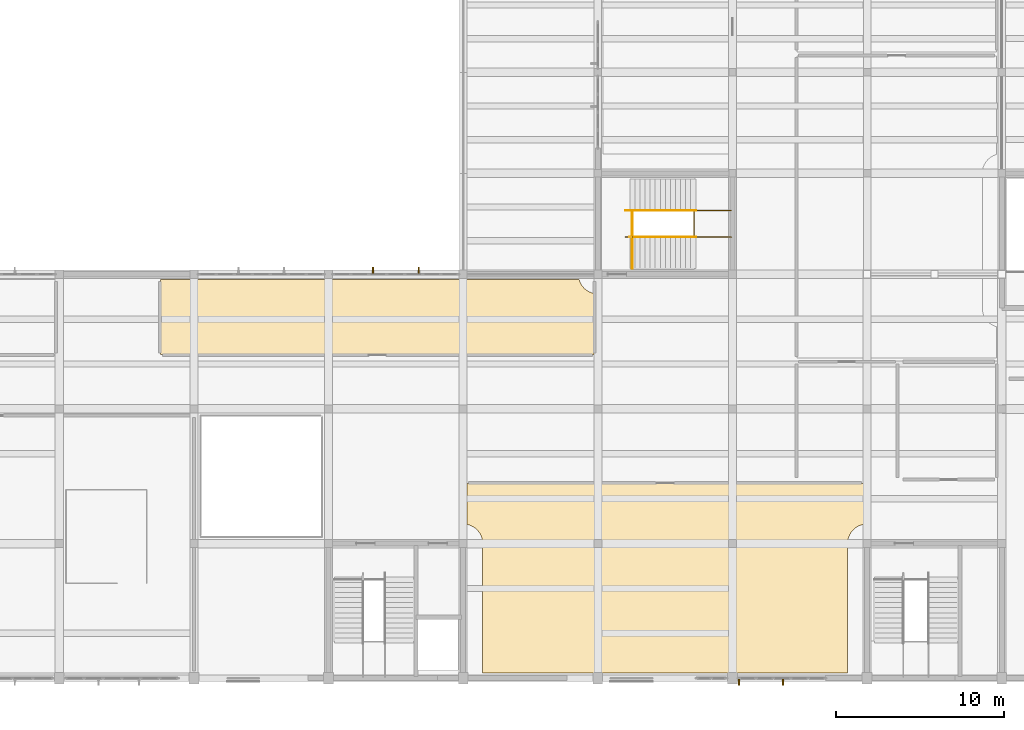
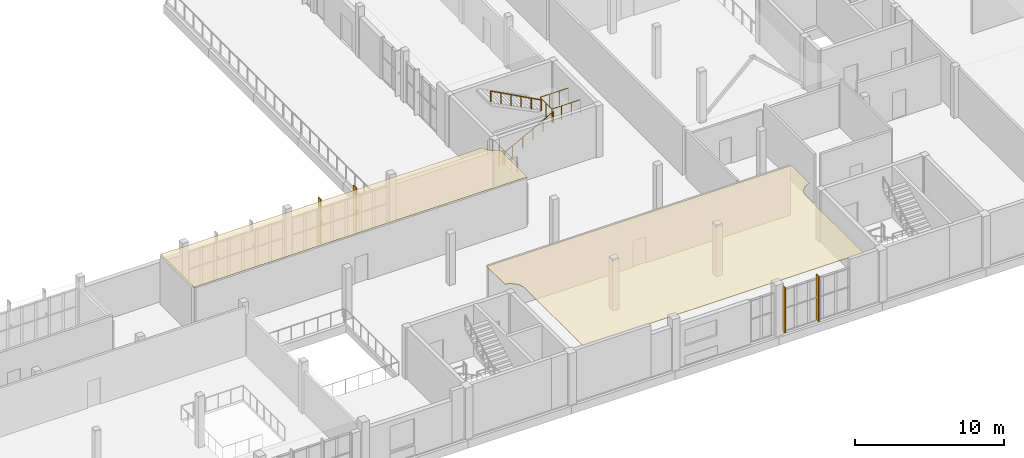
# One storey, part 65 of 70: 5 railings, 4 shading devices, 2 coverings.
"""IFC4 building model written with IfcOpenShell, lengths in metres."""

from ifc_helpers import new_model, si_unit, direction, frame, origin, origin_2d, place, context, subcontext, project, spatial, polyline, rectangle, circle, outline, extrude, material, layer, layer_set, type_object, element, save


model = new_model("IFC4")

# Units and contexts
model_context = context("Model", 3, precision=1e-05, world=origin(), true_north=direction((0.0, 1.0)))
body_context = subcontext(model_context, "Body", "Model", "MODEL_VIEW")
ifc_project = project(units=[si_unit("LENGTHUNIT", "METRE"), si_unit("AREAUNIT", "SQUARE_METRE"), si_unit("VOLUMEUNIT", "CUBIC_METRE"), si_unit("PLANEANGLEUNIT", "RADIAN"), si_unit("MASSUNIT", "GRAM", prefix="KILO")], contexts=[model_context])

# Site, building, storey
site_placement = place(None, origin())
site = spatial("IfcSite", under=ifc_project, at=site_placement, CompositionType="ELEMENT")
building_placement = place(site_placement, origin())
building = spatial("IfcBuilding", under=site, at=building_placement, Name="Solvane Community Centre", CompositionType="ELEMENT")
storey_placement = place(building_placement, frame((0.0, 0.0, 9.60009765625)))
storey = spatial("IfcBuildingStorey", under=building, at=storey_placement, Name="L02", CompositionType="ELEMENT", Elevation=9.60009765625)

# Coverings
ifc_material_1 = material(Name="Acoustic timber slat ceiling", Category="wood")
ifc_layer = layer(ifc_material_1, 0.0400390625)
ifc_layer_set = layer_set([ifc_layer], Name="Acoustic timber slat ceiling")
covering_type = type_object("IfcCoveringType", Name="Acoustic Timber Slat Suspended Ceiling", PredefinedType="CEILING", material=ifc_layer_set)
covering_1_placement = place(storey_placement, frame((0.0, 0.0, 3.954833984375)))
element("IfcCovering", 1, at=covering_1_placement, inside=storey, type_object=covering_type, Name="Acoustic Ceiling L02-02", PredefinedType="CEILING", context=body_context, shape_type="SweptSolid", body=[
    extrude(outline(polyline([(108.219970703125, 17.580078125), (131.780029296875, 17.580078125), (131.780029296875, 15.1376953125), (131.725830078125, 15.126953125), (131.710693359375, 15.123046875), (131.61669921875, 15.0947265625), (131.601806640625, 15.08935546875), (131.51123046875, 15.0517578125), (131.4970703125, 15.045166015625), (131.410400390625, 14.998779296875), (131.39697265625, 14.99072265625), (131.3154296875, 14.936279296875), (131.302734375, 14.927001953125), (131.226806640625, 14.864501953125), (131.21533203125, 14.85400390625), (131.14599609375, 14.78466796875), (131.135498046875, 14.773193359375), (131.072998046875, 14.697265625), (131.063720703125, 14.6845703125), (131.00927734375, 14.60302734375), (131.001220703125, 14.589599609375), (130.954833984375, 14.5029296875), (130.9482421875, 14.48876953125), (130.91064453125, 14.398193359375), (130.9052734375, 14.38330078125), (130.876953125, 14.289306640625), (130.873046875, 14.274169921875), (130.85400390625, 14.177978515625), (130.8515625, 14.162353515625), (130.842041015625, 14.064697265625), (130.84130859375, 14.049072265625), (130.840087890625, 14.0), (130.840087890625, 6.320068359375), (109.159912109375, 6.320068359375), (109.159912109375, 14.0), (109.15869140625, 14.049072265625), (109.157958984375, 14.064697265625), (109.1484375, 14.162353515625), (109.14599609375, 14.177978515625), (109.126953125, 14.274169921875), (109.123046875, 14.289306640625), (109.0947265625, 14.38330078125), (109.08935546875, 14.398193359375), (109.0517578125, 14.48876953125), (109.045166015625, 14.5029296875), (108.998779296875, 14.589599609375), (108.99072265625, 14.60302734375), (108.936279296875, 14.6845703125), (108.927001953125, 14.697265625), (108.864501953125, 14.773193359375), (108.85400390625, 14.78466796875), (108.78466796875, 14.85400390625), (108.773193359375, 14.864501953125), (108.697265625, 14.927001953125), (108.6845703125, 14.936279296875), (108.60302734375, 14.99072265625), (108.589599609375, 14.998779296875), (108.5029296875, 15.045166015625), (108.48876953125, 15.0517578125), (108.398193359375, 15.08935546875), (108.38330078125, 15.0947265625), (108.289306640625, 15.123046875), (108.274169921875, 15.126953125), (108.219970703125, 15.1376953125), (108.219970703125, 17.580078125)])), origin(), (0.0, 0.0, 1.0), 0.0400390625),
])
covering_2_placement = place(storey_placement, frame((0.0, 0.0, 3.954833984375)))
element("IfcCovering", 2, at=covering_2_placement, inside=storey, type_object=covering_type, Name="Acoustic Ceiling L02-06", PredefinedType="CEILING", context=body_context, shape_type="SweptSolid", body=[
    extrude(outline(polyline([(115.780029296875, 25.219970703125), (90.02001953125, 25.219970703125), (90.02001953125, 29.679931640625), (114.885986328125, 29.679931640625), (114.9052734375, 29.61669921875), (114.91064453125, 29.601806640625), (114.9482421875, 29.51123046875), (114.954833984375, 29.4970703125), (115.001220703125, 29.410400390625), (115.00927734375, 29.39697265625), (115.063720703125, 29.3154296875), (115.072998046875, 29.302734375), (115.135498046875, 29.226806640625), (115.14599609375, 29.21533203125), (115.21533203125, 29.14599609375), (115.226806640625, 29.135498046875), (115.302734375, 29.072998046875), (115.3154296875, 29.063720703125), (115.39697265625, 29.00927734375), (115.410400390625, 29.001220703125), (115.4970703125, 28.954833984375), (115.51123046875, 28.9482421875), (115.601806640625, 28.91064453125), (115.61669921875, 28.9052734375), (115.710693359375, 28.876953125), (115.725830078125, 28.873046875), (115.780029296875, 28.8623046875), (115.780029296875, 25.219970703125)])), origin(), (0.0, 0.0, 1.0), 0.0400390625),
])

# Shading devices
ifc_material_2 = material(Name="Anodised bronze aluminium AW-6063 T6", Category="aluminium")
shading_device_type = type_object("IfcShadingDeviceType", Name="Art Deco Bronze Solar Fin 80x360", PredefinedType="USERDEFINED", material=ifc_material_2)
shading_device_1_placement = place(storey_placement, frame((127.0, 5.760009765625, 0.14990234375), z_axis=(0.0, 0.0, 1.0), x_axis=(-1.0, 0.0, 0.0)))
element("IfcShadingDevice", 3, at=shading_device_1_placement, inside=storey, type_object=shading_device_type, Name="Solar Brise-Soleil Fin 73", ObjectType="Solar Brise-Soleil Fin 73", PredefinedType="USERDEFINED", context=body_context, shape_type="SweptSolid", body=[
    extrude(rectangle(XDim=0.080078125, YDim=0.360107421875, at=origin_2d()), origin(), (0.0, 0.0, 1.0), 3.679931640625),
])
shading_device_2_placement = place(storey_placement, frame((124.384765625, 5.760009765625, 0.14990234375), z_axis=(0.0, 0.0, 1.0), x_axis=(-1.0, 0.0, 0.0)))
element("IfcShadingDevice", 4, at=shading_device_2_placement, inside=storey, type_object=shading_device_type, Name="Solar Brise-Soleil Fin 74", ObjectType="Solar Brise-Soleil Fin 74", PredefinedType="USERDEFINED", context=body_context, shape_type="SweptSolid", body=[
    extrude(rectangle(XDim=0.080078125, YDim=0.360107421875, at=origin_2d()), origin(), (0.0, 0.0, 1.0), 3.679931640625),
])
shading_device_3_placement = place(storey_placement, frame((102.639892578125, 30.239990234375, 0.14990234375), z_axis=(0.0, 0.0, 1.0), x_axis=(1.0, 0.0, 0.0)))
element("IfcShadingDevice", 5, at=shading_device_3_placement, inside=storey, type_object=shading_device_type, Name="Solar Brise-Soleil Fin 85", ObjectType="Solar Brise-Soleil Fin 85", PredefinedType="USERDEFINED", context=body_context, shape_type="SweptSolid", body=[
    extrude(rectangle(XDim=0.080078125, YDim=0.360107421875, at=origin_2d()), origin(), (0.0, 0.0, 1.0), 3.679931640625),
])
shading_device_4_placement = place(storey_placement, frame((105.360107421875, 30.239990234375, 0.14990234375), z_axis=(0.0, 0.0, 1.0), x_axis=(1.0, 0.0, 0.0)))
element("IfcShadingDevice", 6, at=shading_device_4_placement, inside=storey, type_object=shading_device_type, Name="Solar Brise-Soleil Fin 86", ObjectType="Solar Brise-Soleil Fin 86", PredefinedType="USERDEFINED", context=body_context, shape_type="SweptSolid", body=[
    extrude(rectangle(XDim=0.080078125, YDim=0.360107421875, at=origin_2d()), origin(), (0.0, 0.0, 1.0), 3.679931640625),
])

# Railings
railing_type_1 = type_object("IfcRailingType", Name="Interior Gallery & Stair Well Guard 1150mm", PredefinedType="BALUSTRADE", material=ifc_material_2)
railing_1_placement = place(storey_placement, frame((123.93994140625, 32.2099609375, 2.099853515625)))
element("IfcRailing", 7, at=railing_1_placement, inside=storey, type_object=railing_type_1, Name="Railing GR-L02-068", PredefinedType="BALUSTRADE", context=body_context, shape_type="SweptSolid", body=[
    extrude(circle(Radius=0.02392578125, at=origin_2d()), frame((0.0, 0.0, 1.1259765625), z_axis=(-1.0, 0.0, 0.0), x_axis=(0.0, -1.0, 0.0)), (0.0, 0.0, 1.0), 2.219970703125),
    extrude(circle(Radius=0.02392578125, at=origin_2d()), frame((-2.219970703125, 0.0, 1.1259765625), z_axis=(0.0, 1.0, 0.0), x_axis=(-1.0, 0.0, 0.0)), (0.0, 0.0, 1.0), 1.580078125),
    extrude(circle(Radius=0.02392578125, at=origin_2d()), frame((-2.219970703125, 1.580078125, 1.1259765625), z_axis=(1.0, 0.0, 0.0), x_axis=(0.0, 1.0, 0.0)), (0.0, 0.0, 1.0), 2.219970703125),
    extrude(circle(Radius=0.02099609375, at=origin_2d()), origin(), (0.0, 0.0, 1.0), 1.101806640625),
    extrude(circle(Radius=0.02099609375, at=origin_2d()), frame((-0.739990234375, 0.0, 0.0)), (0.0, 0.0, 1.0), 1.101806640625),
    extrude(circle(Radius=0.02099609375, at=origin_2d()), frame((-1.47998046875, 0.0, 0.0)), (0.0, 0.0, 1.0), 1.101806640625),
    extrude(circle(Radius=0.02099609375, at=origin_2d()), frame((-2.219970703125, 0.0, 0.0)), (0.0, 0.0, 1.0), 1.101806640625),
    extrude(circle(Radius=0.02099609375, at=origin_2d()), frame((-2.219970703125, 0.7900390625, 0.0)), (0.0, 0.0, 1.0), 1.101806640625),
    extrude(circle(Radius=0.02099609375, at=origin_2d()), frame((-2.219970703125, 1.580078125, 0.0)), (0.0, 0.0, 1.0), 1.101806640625),
    extrude(circle(Radius=0.02099609375, at=origin_2d()), frame((-1.47998046875, 1.580078125, 0.0)), (0.0, 0.0, 1.0), 1.101806640625),
    extrude(circle(Radius=0.02099609375, at=origin_2d()), frame((-0.739990234375, 1.580078125, 0.0)), (0.0, 0.0, 1.0), 1.101806640625),
    extrude(circle(Radius=0.02099609375, at=origin_2d()), frame((0.0, 1.580078125, 0.0)), (0.0, 0.0, 1.0), 1.101806640625),
])
railing_2_placement = place(storey_placement, frame((118.0400390625, 30.340087890625, 0.0)))
element("IfcRailing", 8, at=railing_2_placement, inside=storey, type_object=railing_type_1, Name="Railing GR-L02-069", PredefinedType="BALUSTRADE", context=body_context, shape_type="SweptSolid", body=[
    extrude(circle(Radius=0.02392578125, at=origin_2d()), frame((0.0, 0.0, 1.1259765625), z_axis=(0.0, 1.0, 0.0), x_axis=(-1.0, 0.0, 0.0)), (0.0, 0.0, 1.0), 3.449951171875),
    extrude(circle(Radius=0.02392578125, at=origin_2d()), frame((0.0, 3.449951171875, 1.1259765625), z_axis=(-1.0, 0.0, 0.0), x_axis=(0.0, -1.0, 0.0)), (0.0, 0.0, 1.0), 0.39013671875),
    extrude(circle(Radius=0.02099609375, at=origin_2d()), origin(), (0.0, 0.0, 1.0), 1.101806640625),
    extrude(circle(Radius=0.02099609375, at=origin_2d()), frame((0.0, 0.862548828125, 0.0)), (0.0, 0.0, 1.0), 1.101806640625),
    extrude(circle(Radius=0.02099609375, at=origin_2d()), frame((0.0, 1.72509765625, 0.0)), (0.0, 0.0, 1.0), 1.101806640625),
    extrude(circle(Radius=0.02099609375, at=origin_2d()), frame((0.0, 2.58740234375, 0.0)), (0.0, 0.0, 1.0), 1.101806640625),
    extrude(circle(Radius=0.02099609375, at=origin_2d()), frame((0.0, 3.449951171875, 0.0)), (0.0, 0.0, 1.0), 1.101806640625),
    extrude(circle(Radius=0.02099609375, at=origin_2d()), frame((-0.39013671875, 3.449951171875, 0.0)), (0.0, 0.0, 1.0), 1.101806640625),
])
railing_3_placement = place(storey_placement, frame((117.64990234375, 32.2099609375, 0.0)))
element("IfcRailing", 9, at=railing_3_placement, inside=storey, type_object=railing_type_1, Name="Railing GR-L02-070", PredefinedType="BALUSTRADE", context=body_context, shape_type="SweptSolid", body=[
    extrude(circle(Radius=0.02392578125, at=origin_2d()), frame((0.0, 0.0, 1.1259765625), z_axis=(1.0, 0.0, 0.0), x_axis=(0.0, 1.0, 0.0)), (0.0, 0.0, 1.0), 0.39013671875),
    extrude(circle(Radius=0.02099609375, at=origin_2d()), origin(), (0.0, 0.0, 1.0), 1.101806640625),
    extrude(circle(Radius=0.02099609375, at=origin_2d()), frame((0.39013671875, 0.0, 0.0)), (0.0, 0.0, 1.0), 1.101806640625),
])
railing_type_2 = type_object("IfcRailingType", Name="Stair Pitch Handrail 900mm", PredefinedType="HANDRAIL", material=ifc_material_2)
railing_4_placement = place(storey_placement, frame((117.89990234375, 32.2099609375, 0.0)))
element("IfcRailing", 10, at=railing_4_placement, inside=storey, type_object=railing_type_2, Name="Railing HR-L02-066", PredefinedType="HANDRAIL", context=body_context, shape_type="SweptSolid", body=[
    extrude(circle(Radius=0.02392578125, at=origin_2d()), frame((0.0, 0.0, 0.8759765625), z_axis=(0.881502004561, 0.0, 0.472180279083), x_axis=(0.0, 1.0, 0.0)), (0.0, 0.0, 1.0), 4.447265625),
    extrude(circle(Radius=0.02099609375, at=origin_2d()), origin(), (0.0, 0.0, 1.0), 0.851806640625),
    extrude(circle(Radius=0.02099609375, at=origin_2d()), frame((0.783935546875, 0.0, 0.419921875)), (0.0, 0.0, 1.0), 0.851806640625),
    extrude(circle(Radius=0.02099609375, at=origin_2d()), frame((1.568115234375, 0.0, 0.83984375)), (0.0, 0.0, 1.0), 0.851806640625),
    extrude(circle(Radius=0.02099609375, at=origin_2d()), frame((2.35205078125, 0.0, 1.260009765625)), (0.0, 0.0, 1.0), 0.851806640625),
    extrude(circle(Radius=0.02099609375, at=origin_2d()), frame((3.13623046875, 0.0, 1.679931640625)), (0.0, 0.0, 1.0), 0.851806640625),
    extrude(circle(Radius=0.02099609375, at=origin_2d()), frame((3.920166015625, 0.0, 2.099853515625)), (0.0, 0.0, 1.0), 0.851806640625),
])
railing_5_placement = place(storey_placement, frame((121.820068359375, 33.7900390625, 2.099853515625)))
element("IfcRailing", 11, at=railing_5_placement, inside=storey, type_object=railing_type_2, Name="Railing HR-L02-067", PredefinedType="HANDRAIL", context=body_context, shape_type="SweptSolid", body=[
    extrude(circle(Radius=0.02392578125, at=origin_2d()), frame((0.0, 0.0, 0.8759765625), z_axis=(-0.881479153919, 0.0, 0.472222935917), x_axis=(0.0, -1.0, 0.0)), (0.0, 0.0, 1.0), 4.447265625),
    extrude(circle(Radius=0.02099609375, at=origin_2d()), origin(), (0.0, 0.0, 1.0), 0.851806640625),
    extrude(circle(Radius=0.02099609375, at=origin_2d()), frame((-0.783935546875, 0.0, 0.419921875)), (0.0, 0.0, 1.0), 0.851806640625),
    extrude(circle(Radius=0.02099609375, at=origin_2d()), frame((-1.568115234375, 0.0, 0.840087890625)), (0.0, 0.0, 1.0), 0.851806640625),
    extrude(circle(Radius=0.02099609375, at=origin_2d()), frame((-2.35205078125, 0.0, 1.260009765625)), (0.0, 0.0, 1.0), 0.851806640625),
    extrude(circle(Radius=0.02099609375, at=origin_2d()), frame((-3.13623046875, 0.0, 1.68017578125)), (0.0, 0.0, 1.0), 0.851806640625),
    extrude(circle(Radius=0.02099609375, at=origin_2d()), frame((-3.920166015625, 0.0, 2.10009765625)), (0.0, 0.0, 1.0), 0.851806640625),
])

save(model, "model.ifc")
